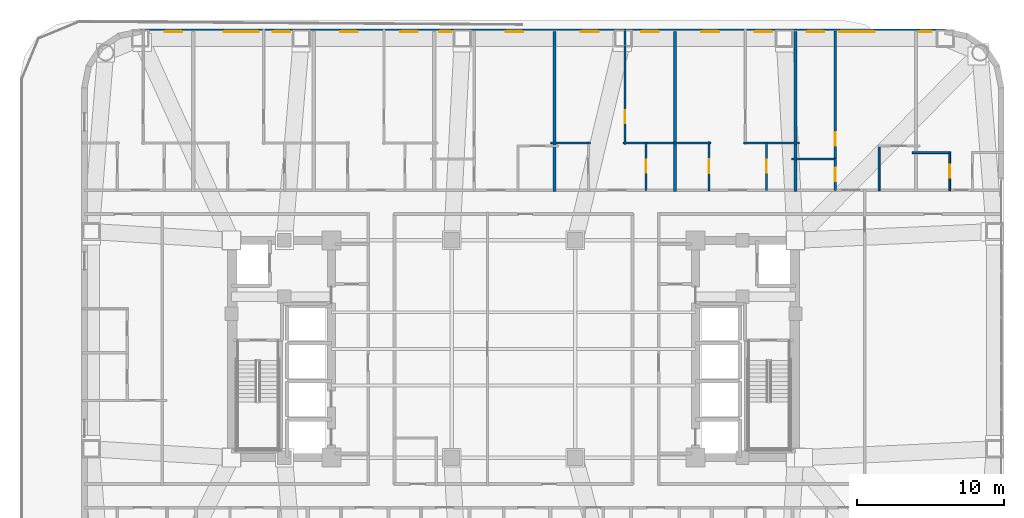
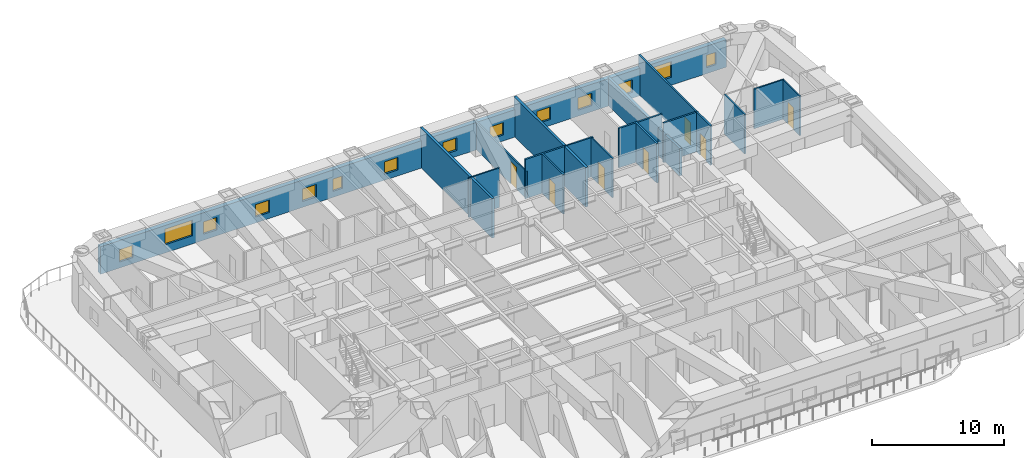
# One storey, part 12 of 18: 18 walls, 14 windows, 7 doors, 21 openings.
"""IFC4 building model written with IfcOpenShell, lengths in metres."""

from ifc_helpers import new_model, si_unit, direction, frame, frame_2d, origin, place, context, subcontext, project, spatial, rectangle, extrude, material, layer, layer_set, type_object, element, fill, save


model = new_model("IFC4")

# Units and contexts
model_context = context("Model", 3, precision=1e-05, world=origin(), true_north=direction((0.0, 1.0)))
body_context = subcontext(model_context, "Body", "Model", "MODEL_VIEW")
ifc_project = project(units=[si_unit("LENGTHUNIT", "METRE"), si_unit("AREAUNIT", "SQUARE_METRE"), si_unit("VOLUMEUNIT", "CUBIC_METRE"), si_unit("PLANEANGLEUNIT", "RADIAN"), si_unit("MASSUNIT", "GRAM", prefix="KILO")], contexts=[model_context])

# Site, building, storey
site_placement = place(None, origin())
site = spatial("IfcSite", under=ifc_project, at=site_placement, CompositionType="ELEMENT")
building_placement = place(site_placement, origin())
building = spatial("IfcBuilding", under=site, at=building_placement, Name="Voryun Gate Residences", CompositionType="ELEMENT")
storey_placement = place(building_placement, frame((0.0, 0.0, 85.800048828125)))
storey = spatial("IfcBuildingStorey", under=building, at=storey_placement, Name="L20", CompositionType="ELEMENT", Elevation=85.800048828125)

# Wall, openings, windows
ifc_material_1 = material(Name="Granite masonry", Category="masonry")
ifc_layer_1 = layer(ifc_material_1, 0.3798828125, Name="W_EXT_GRANITE_380")
ifc_layer_set_1 = layer_set([ifc_layer_1], Name="Granite masonry")
wall_type_1 = type_object("IfcWallType", Name="W_EXT_GRANITE_380", PredefinedType="ELEMENTEDWALL", material=ifc_layer_set_1)
wall_1_placement = place(storey_placement, frame((-25.38134765625, 21.610107421875, 0.0), z_axis=(0.0, 0.0, 1.0), x_axis=(1.0, 0.0, 0.0)))
wall_1 = element("IfcWall", 1, at=wall_1_placement, inside=storey, type_object=wall_type_1, Name="Exterior wall WEXT-L20-11", PredefinedType="ELEMENTEDWALL", context=body_context, shape_type="SweptSolid", body=[
    extrude(rectangle(XDim=54.7626953125, YDim=0.3798828125, at=frame_2d((27.38134765625, 0.0))), origin(), (0.0, 0.0, 1.0), 2.5400390625),
])
opening_1_placement = place(wall_1_placement, frame((5.645263671875, 0.0, 0.75)))
opening_1 = element("IfcOpeningElement", 2, at=opening_1_placement, cuts=wall_1, Name="Opening WN2", PredefinedType="OPENING", context=body_context, shape_type="SweptSolid", body=[
    extrude(rectangle(XDim=2.39990234375, YDim=1.449951171875, at=frame_2d((1.199951171875, 0.72509765625))), frame((0.0, 0.199951171875, 0.0), z_axis=(0.0, -1.0, 0.0), x_axis=(1.0, 0.0, 0.0)), (0.0, 0.0, 1.0), 0.39990234375),
])
opening_2_placement = place(wall_1_placement, frame((47.5673828125, 0.0, 0.75)))
opening_2 = element("IfcOpeningElement", 3, at=opening_2_placement, cuts=wall_1, Name="Opening WN2", PredefinedType="OPENING", context=body_context, shape_type="SweptSolid", body=[
    extrude(rectangle(XDim=2.39990234375, YDim=1.449951171875, at=frame_2d((1.199951171875, 0.72509765625))), frame((0.0, 0.199951171875, 0.0), z_axis=(0.0, -1.0, 0.0), x_axis=(1.0, 0.0, 0.0)), (0.0, 0.0, 1.0), 0.39990234375),
])
opening_3_placement = place(wall_1_placement, frame((1.635498046875, 0.0, 0.550048828125)))
opening_3 = element("IfcOpeningElement", 4, at=opening_3_placement, cuts=wall_1, Name="Opening WN6", PredefinedType="OPENING", context=body_context, shape_type="SweptSolid", body=[
    extrude(rectangle(XDim=1.199951171875, YDim=1.14990234375, at=frame_2d((0.60009765625, 0.574951171875))), frame((0.0, 0.199951171875, 0.0), z_axis=(0.0, -1.0, 0.0), x_axis=(1.0, 0.0, 0.0)), (0.0, 0.0, 1.0), 0.39990234375),
])
opening_4_placement = place(wall_1_placement, frame((8.996337890625, 0.0, 0.550048828125)))
opening_4 = element("IfcOpeningElement", 5, at=opening_4_placement, cuts=wall_1, Name="Opening WN6", PredefinedType="OPENING", context=body_context, shape_type="SweptSolid", body=[
    extrude(rectangle(XDim=1.199951171875, YDim=1.14990234375, at=frame_2d((0.60009765625, 0.574951171875))), frame((0.0, 0.199951171875, 0.0), z_axis=(0.0, -1.0, 0.0), x_axis=(1.0, 0.0, 0.0)), (0.0, 0.0, 1.0), 0.39990234375),
])
opening_5_placement = place(wall_1_placement, frame((13.576416015625, 0.0, 0.550048828125)))
opening_5 = element("IfcOpeningElement", 6, at=opening_5_placement, cuts=wall_1, Name="Opening WN6", PredefinedType="OPENING", context=body_context, shape_type="SweptSolid", body=[
    extrude(rectangle(XDim=1.199951171875, YDim=1.14990234375, at=frame_2d((0.60009765625, 0.574951171875))), frame((0.0, 0.199951171875, 0.0), z_axis=(0.0, -1.0, 0.0), x_axis=(1.0, 0.0, 0.0)), (0.0, 0.0, 1.0), 0.39990234375),
])
opening_6_placement = place(wall_1_placement, frame((17.67626953125, 0.0, 0.550048828125)))
opening_6 = element("IfcOpeningElement", 7, at=opening_6_placement, cuts=wall_1, Name="Opening WN6", PredefinedType="OPENING", context=body_context, shape_type="SweptSolid", body=[
    extrude(rectangle(XDim=1.199951171875, YDim=1.14990234375, at=frame_2d((0.60009765625, 0.574951171875))), frame((0.0, 0.199951171875, 0.0), z_axis=(0.0, -1.0, 0.0), x_axis=(1.0, 0.0, 0.0)), (0.0, 0.0, 1.0), 0.39990234375),
])
opening_7_placement = place(wall_1_placement, frame((20.3193359375, 0.0, 0.550048828125)))
opening_7 = element("IfcOpeningElement", 8, at=opening_7_placement, cuts=wall_1, Name="Opening WN9", PredefinedType="OPENING", context=body_context, shape_type="SweptSolid", body=[
    extrude(rectangle(XDim=0.85009765625, YDim=1.14990234375, at=frame_2d((0.425048828125, 0.574951171875))), frame((0.0, 0.199951171875, 0.0), z_axis=(0.0, -1.0, 0.0), x_axis=(1.0, 0.0, 0.0)), (0.0, 0.0, 1.0), 0.39990234375),
])
opening_8_placement = place(wall_1_placement, frame((24.84423828125, 0.0, 0.550048828125)))
opening_8 = element("IfcOpeningElement", 9, at=opening_8_placement, cuts=wall_1, Name="Opening WN6", PredefinedType="OPENING", context=body_context, shape_type="SweptSolid", body=[
    extrude(rectangle(XDim=1.199951171875, YDim=1.14990234375, at=frame_2d((0.60009765625, 0.574951171875))), frame((0.0, 0.199951171875, 0.0), z_axis=(0.0, -1.0, 0.0), x_axis=(1.0, 0.0, 0.0)), (0.0, 0.0, 1.0), 0.39990234375),
])
opening_9_placement = place(wall_1_placement, frame((29.976318359375, 0.0, 0.550048828125)))
opening_9 = element("IfcOpeningElement", 10, at=opening_9_placement, cuts=wall_1, Name="Opening WN6", PredefinedType="OPENING", context=body_context, shape_type="SweptSolid", body=[
    extrude(rectangle(XDim=1.199951171875, YDim=1.14990234375, at=frame_2d((0.60009765625, 0.574951171875))), frame((0.0, 0.199951171875, 0.0), z_axis=(0.0, -1.0, 0.0), x_axis=(1.0, 0.0, 0.0)), (0.0, 0.0, 1.0), 0.39990234375),
])
opening_10_placement = place(wall_1_placement, frame((34.076416015625, 0.0, 0.550048828125)))
opening_10 = element("IfcOpeningElement", 11, at=opening_10_placement, cuts=wall_1, Name="Opening WN6", PredefinedType="OPENING", context=body_context, shape_type="SweptSolid", body=[
    extrude(rectangle(XDim=1.199951171875, YDim=1.14990234375, at=frame_2d((0.60009765625, 0.574951171875))), frame((0.0, 0.199951171875, 0.0), z_axis=(0.0, -1.0, 0.0), x_axis=(1.0, 0.0, 0.0)), (0.0, 0.0, 1.0), 0.39990234375),
])
opening_11_placement = place(wall_1_placement, frame((38.17626953125, 0.0, 0.550048828125)))
opening_11 = element("IfcOpeningElement", 12, at=opening_11_placement, cuts=wall_1, Name="Opening WN6", PredefinedType="OPENING", context=body_context, shape_type="SweptSolid", body=[
    extrude(rectangle(XDim=1.199951171875, YDim=1.14990234375, at=frame_2d((0.60009765625, 0.574951171875))), frame((0.0, 0.199951171875, 0.0), z_axis=(0.0, -1.0, 0.0), x_axis=(1.0, 0.0, 0.0)), (0.0, 0.0, 1.0), 0.39990234375),
])
opening_12_placement = place(wall_1_placement, frame((41.79638671875, 0.0, 0.550048828125)))
opening_12 = element("IfcOpeningElement", 13, at=opening_12_placement, cuts=wall_1, Name="Opening WN6", PredefinedType="OPENING", context=body_context, shape_type="SweptSolid", body=[
    extrude(rectangle(XDim=1.199951171875, YDim=1.14990234375, at=frame_2d((0.60009765625, 0.574951171875))), frame((0.0, 0.199951171875, 0.0), z_axis=(0.0, -1.0, 0.0), x_axis=(1.0, 0.0, 0.0)), (0.0, 0.0, 1.0), 0.39990234375),
])
opening_13_placement = place(wall_1_placement, frame((45.336181640625, 0.0, 0.550048828125)))
opening_13 = element("IfcOpeningElement", 14, at=opening_13_placement, cuts=wall_1, Name="Opening WN6", PredefinedType="OPENING", context=body_context, shape_type="SweptSolid", body=[
    extrude(rectangle(XDim=1.199951171875, YDim=1.14990234375, at=frame_2d((0.60009765625, 0.574951171875))), frame((0.0, 0.199951171875, 0.0), z_axis=(0.0, -1.0, 0.0), x_axis=(1.0, 0.0, 0.0)), (0.0, 0.0, 1.0), 0.39990234375),
])
opening_14_placement = place(wall_1_placement, frame((53.02197265625, 0.0, 0.550048828125)))
opening_14 = element("IfcOpeningElement", 15, at=opening_14_placement, cuts=wall_1, Name="Opening WN9", PredefinedType="OPENING", context=body_context, shape_type="SweptSolid", body=[
    extrude(rectangle(XDim=0.85009765625, YDim=1.14990234375, at=frame_2d((0.425048828125, 0.574951171875))), frame((0.0, 0.199951171875, 0.0), z_axis=(0.0, -1.0, 0.0), x_axis=(1.0, 0.0, 0.0)), (0.0, 0.0, 1.0), 0.39990234375),
])
ifc_material_2 = material(Name="Laminated low-E glass", Category="glass")
window_type_1 = type_object("IfcWindowType", Name="WN_POD_SLOT_1200", PartitioningType="SINGLE_PANEL", PredefinedType="WINDOW", material=ifc_material_2)
window_1_placement = place(opening_3_placement, origin())
window_1 = element("IfcWindow", 16, at=window_1_placement, inside=storey, type_object=window_type_1, Name="Window WN-L20-DWFIX-02", OverallHeight=1.14990234375, OverallWidth=1.199951171875, PartitioningType="SINGLE_PANEL", PredefinedType="WINDOW", context=body_context, shape_type="SweptSolid", body=[
    extrude(rectangle(XDim=1.199951171875, YDim=1.14990234375, at=frame_2d((0.60009765625, 0.574951171875))), frame((0.0, 0.030029296875, 0.0), z_axis=(0.0, -1.0, 0.0), x_axis=(1.0, 0.0, 0.0)), (0.0, 0.0, 1.0), 0.06005859375),
])
fill(opening_3, window_1)
window_2_placement = place(opening_4_placement, origin())
window_2 = element("IfcWindow", 17, at=window_2_placement, inside=storey, type_object=window_type_1, Name="Window WN-L20-DWFIX-03", OverallHeight=1.14990234375, OverallWidth=1.199951171875, PartitioningType="SINGLE_PANEL", PredefinedType="WINDOW", context=body_context, shape_type="SweptSolid", body=[
    extrude(rectangle(XDim=1.199951171875, YDim=1.14990234375, at=frame_2d((0.60009765625, 0.574951171875))), frame((0.0, 0.030029296875, 0.0), z_axis=(0.0, -1.0, 0.0), x_axis=(1.0, 0.0, 0.0)), (0.0, 0.0, 1.0), 0.06005859375),
])
fill(opening_4, window_2)
window_3_placement = place(opening_5_placement, origin())
window_3 = element("IfcWindow", 18, at=window_3_placement, inside=storey, type_object=window_type_1, Name="Window WN-L20-DWFIX-04", OverallHeight=1.14990234375, OverallWidth=1.199951171875, PartitioningType="SINGLE_PANEL", PredefinedType="WINDOW", context=body_context, shape_type="SweptSolid", body=[
    extrude(rectangle(XDim=1.199951171875, YDim=1.14990234375, at=frame_2d((0.60009765625, 0.574951171875))), frame((0.0, 0.030029296875, 0.0), z_axis=(0.0, -1.0, 0.0), x_axis=(1.0, 0.0, 0.0)), (0.0, 0.0, 1.0), 0.06005859375),
])
fill(opening_5, window_3)
window_4_placement = place(opening_6_placement, origin())
window_4 = element("IfcWindow", 19, at=window_4_placement, inside=storey, type_object=window_type_1, Name="Window WN-L20-DWFIX-05", OverallHeight=1.14990234375, OverallWidth=1.199951171875, PartitioningType="SINGLE_PANEL", PredefinedType="WINDOW", context=body_context, shape_type="SweptSolid", body=[
    extrude(rectangle(XDim=1.199951171875, YDim=1.14990234375, at=frame_2d((0.60009765625, 0.574951171875))), frame((0.0, 0.030029296875, 0.0), z_axis=(0.0, -1.0, 0.0), x_axis=(1.0, 0.0, 0.0)), (0.0, 0.0, 1.0), 0.06005859375),
])
fill(opening_6, window_4)
window_5_placement = place(opening_8_placement, origin())
window_5 = element("IfcWindow", 20, at=window_5_placement, inside=storey, type_object=window_type_1, Name="Window WN-L20-DWFIX-07", OverallHeight=1.14990234375, OverallWidth=1.199951171875, PartitioningType="SINGLE_PANEL", PredefinedType="WINDOW", context=body_context, shape_type="SweptSolid", body=[
    extrude(rectangle(XDim=1.199951171875, YDim=1.14990234375, at=frame_2d((0.60009765625, 0.574951171875))), frame((0.0, 0.030029296875, 0.0), z_axis=(0.0, -1.0, 0.0), x_axis=(1.0, 0.0, 0.0)), (0.0, 0.0, 1.0), 0.06005859375),
])
fill(opening_8, window_5)
window_6_placement = place(opening_9_placement, origin())
window_6 = element("IfcWindow", 21, at=window_6_placement, inside=storey, type_object=window_type_1, Name="Window WN-L20-DWFIX-08", OverallHeight=1.14990234375, OverallWidth=1.199951171875, PartitioningType="SINGLE_PANEL", PredefinedType="WINDOW", context=body_context, shape_type="SweptSolid", body=[
    extrude(rectangle(XDim=1.199951171875, YDim=1.14990234375, at=frame_2d((0.60009765625, 0.574951171875))), frame((0.0, 0.030029296875, 0.0), z_axis=(0.0, -1.0, 0.0), x_axis=(1.0, 0.0, 0.0)), (0.0, 0.0, 1.0), 0.06005859375),
])
fill(opening_9, window_6)
window_7_placement = place(opening_10_placement, origin())
window_7 = element("IfcWindow", 22, at=window_7_placement, inside=storey, type_object=window_type_1, Name="Window WN-L20-DWFIX-09", OverallHeight=1.14990234375, OverallWidth=1.199951171875, PartitioningType="SINGLE_PANEL", PredefinedType="WINDOW", context=body_context, shape_type="SweptSolid", body=[
    extrude(rectangle(XDim=1.199951171875, YDim=1.14990234375, at=frame_2d((0.60009765625, 0.574951171875))), frame((0.0, 0.030029296875, 0.0), z_axis=(0.0, -1.0, 0.0), x_axis=(1.0, 0.0, 0.0)), (0.0, 0.0, 1.0), 0.06005859375),
])
fill(opening_10, window_7)
window_8_placement = place(opening_11_placement, origin())
window_8 = element("IfcWindow", 23, at=window_8_placement, inside=storey, type_object=window_type_1, Name="Window WN-L20-DWFIX-10", OverallHeight=1.14990234375, OverallWidth=1.199951171875, PartitioningType="SINGLE_PANEL", PredefinedType="WINDOW", context=body_context, shape_type="SweptSolid", body=[
    extrude(rectangle(XDim=1.199951171875, YDim=1.14990234375, at=frame_2d((0.60009765625, 0.574951171875))), frame((0.0, 0.030029296875, 0.0), z_axis=(0.0, -1.0, 0.0), x_axis=(1.0, 0.0, 0.0)), (0.0, 0.0, 1.0), 0.06005859375),
])
fill(opening_11, window_8)
window_9_placement = place(opening_12_placement, origin())
window_9 = element("IfcWindow", 24, at=window_9_placement, inside=storey, type_object=window_type_1, Name="Window WN-L20-DWFIX-11", OverallHeight=1.14990234375, OverallWidth=1.199951171875, PartitioningType="SINGLE_PANEL", PredefinedType="WINDOW", context=body_context, shape_type="SweptSolid", body=[
    extrude(rectangle(XDim=1.199951171875, YDim=1.14990234375, at=frame_2d((0.60009765625, 0.574951171875))), frame((0.0, 0.030029296875, 0.0), z_axis=(0.0, -1.0, 0.0), x_axis=(1.0, 0.0, 0.0)), (0.0, 0.0, 1.0), 0.06005859375),
])
fill(opening_12, window_9)
window_10_placement = place(opening_13_placement, origin())
window_10 = element("IfcWindow", 25, at=window_10_placement, inside=storey, type_object=window_type_1, Name="Window WN-L20-DWFIX-12", OverallHeight=1.14990234375, OverallWidth=1.199951171875, PartitioningType="SINGLE_PANEL", PredefinedType="WINDOW", context=body_context, shape_type="SweptSolid", body=[
    extrude(rectangle(XDim=1.199951171875, YDim=1.14990234375, at=frame_2d((0.60009765625, 0.574951171875))), frame((0.0, 0.030029296875, 0.0), z_axis=(0.0, -1.0, 0.0), x_axis=(1.0, 0.0, 0.0)), (0.0, 0.0, 1.0), 0.06005859375),
])
fill(opening_13, window_10)
ifc_material_3 = material(Name="Laminated low-E glass", Category="glass")
window_type_2 = type_object("IfcWindowType", Name="WN_RES_CASEMENT_850", PartitioningType="SINGLE_PANEL", PredefinedType="WINDOW", material=ifc_material_3)
window_11_placement = place(opening_7_placement, origin())
window_11 = element("IfcWindow", 26, at=window_11_placement, inside=storey, type_object=window_type_2, Name="Window WN-L20-DWFIX-06", OverallHeight=1.14990234375, OverallWidth=0.85009765625, PartitioningType="SINGLE_PANEL", PredefinedType="WINDOW", context=body_context, shape_type="SweptSolid", body=[
    extrude(rectangle(XDim=0.85009765625, YDim=1.14990234375, at=frame_2d((0.425048828125, 0.574951171875))), frame((0.0, 0.030029296875, 0.0), z_axis=(0.0, -1.0, 0.0), x_axis=(1.0, 0.0, 0.0)), (0.0, 0.0, 1.0), 0.06005859375),
])
fill(opening_7, window_11)
window_12_placement = place(opening_14_placement, origin())
window_12 = element("IfcWindow", 27, at=window_12_placement, inside=storey, type_object=window_type_2, Name="Window WN-L20-DWFIX-13", OverallHeight=1.14990234375, OverallWidth=0.85009765625, PartitioningType="SINGLE_PANEL", PredefinedType="WINDOW", context=body_context, shape_type="SweptSolid", body=[
    extrude(rectangle(XDim=0.85009765625, YDim=1.14990234375, at=frame_2d((0.425048828125, 0.574951171875))), frame((0.0, 0.030029296875, 0.0), z_axis=(0.0, -1.0, 0.0), x_axis=(1.0, 0.0, 0.0)), (0.0, 0.0, 1.0), 0.06005859375),
])
fill(opening_14, window_12)
ifc_material_4 = material(Name="Laminated low-E glass", Category="glass")
window_type_3 = type_object("IfcWindowType", Name="WN_RES_WIDE_2400", PartitioningType="SINGLE_PANEL", PredefinedType="WINDOW", material=ifc_material_4)
window_13_placement = place(opening_1_placement, origin())
window_13 = element("IfcWindow", 28, at=window_13_placement, inside=storey, type_object=window_type_3, Name="Window WN-WEXT-L20-11-01", OverallHeight=1.449951171875, OverallWidth=2.39990234375, PartitioningType="SINGLE_PANEL", PredefinedType="WINDOW", context=body_context, shape_type="SweptSolid", body=[
    extrude(rectangle(XDim=2.39990234375, YDim=1.449951171875, at=frame_2d((1.199951171875, 0.72509765625))), frame((0.0, 0.030029296875, 0.0), z_axis=(0.0, -1.0, 0.0), x_axis=(1.0, 0.0, 0.0)), (0.0, 0.0, 1.0), 0.06005859375),
])
fill(opening_1, window_13)
window_14_placement = place(opening_2_placement, origin())
window_14 = element("IfcWindow", 29, at=window_14_placement, inside=storey, type_object=window_type_3, Name="Window WN-WEXT-L20-11-04", OverallHeight=1.449951171875, OverallWidth=2.39990234375, PartitioningType="SINGLE_PANEL", PredefinedType="WINDOW", context=body_context, shape_type="SweptSolid", body=[
    extrude(rectangle(XDim=2.39990234375, YDim=1.449951171875, at=frame_2d((1.199951171875, 0.72509765625))), frame((0.0, 0.030029296875, 0.0), z_axis=(0.0, -1.0, 0.0), x_axis=(1.0, 0.0, 0.0)), (0.0, 0.0, 1.0), 0.06005859375),
])
fill(opening_2, window_14)

# Walls
ifc_material_5 = material(Name="Concrete C40/50", Category="concrete")
ifc_layer_2 = layer(ifc_material_5, 0.219970703125, Name="W_PARTY_ACOUSTIC_220")
ifc_layer_set_2 = layer_set([ifc_layer_2], Name="Concrete C40/50")
wall_type_2 = type_object("IfcWallType", Name="W_PARTY_ACOUSTIC_220", PredefinedType="PARTITIONING", material=ifc_layer_set_2)
for number, where, z_axis, x_axis, name in (
    (30, (2.800048828125, 10.719970703125, 0.0), (0.0, 0.0, 1.0), (0.0, 1.0, 0.0), "Partition wall WP-L20-NPTY-4"),
    (31, (11.0, 10.719970703125, 0.0), (0.0, 0.0, 1.0), (0.0, 1.0, 0.0), "Partition wall WP-L20-NPTY-5"),
):
    element("IfcWall", number, at=place(storey_placement, frame(where, z_axis=z_axis, x_axis=x_axis)), inside=storey, type_object=wall_type_2, Name=name, PredefinedType="PARTITIONING", context=body_context, shape_type="SweptSolid", body=[
        extrude(rectangle(XDim=10.89013671875, YDim=0.219970703125, at=frame_2d((5.445068359375, 0.0))), origin(), (0.0, 0.0, 1.0), 3.64990234375),
    ])
wall_2_placement = place(storey_placement, frame((19.199951171875, 10.719970703125, 0.0), z_axis=(0.0, 0.0, 1.0), x_axis=(0.0, 1.0, 0.0)))
element("IfcWall", 32, at=wall_2_placement, inside=storey, type_object=wall_type_2, Name="Partition wall WP-L20-NPTY-6", PredefinedType="PARTITIONING", context=body_context, shape_type="SweptSolid", body=[
    extrude(rectangle(XDim=10.89013671875, YDim=0.219970703125, at=frame_2d((5.445068359375, 0.0))), origin(), (0.0, 0.0, 1.0), 2.5400390625),
])

# Wall, opening, door
ifc_material_6 = material(Name="Gypsum acoustic partition")
ifc_layer_3 = layer(ifc_material_6, 0.125, Name="W_UNIT_PART_125")
ifc_layer_set_3 = layer_set([ifc_layer_3], Name="Gypsum acoustic partition")
wall_type_3 = type_object("IfcWallType", Name="W_UNIT_PART_125", PredefinedType="PARTITIONING", material=ifc_layer_set_3)
wall_3_placement = place(storey_placement, frame((7.590087890625, 13.93994140625, 0.0), z_axis=(0.0, 0.0, 1.0), x_axis=(0.0, 1.0, 0.0)))
wall_3 = element("IfcWall", 33, at=wall_3_placement, inside=storey, type_object=wall_type_3, Name="Partition wall WP-L20-N5-OVR", PredefinedType="PARTITIONING", context=body_context, shape_type="SweptSolid", body=[
    extrude(rectangle(XDim=7.820068359375, YDim=0.125, at=frame_2d((3.91015625, 0.0))), origin(), (0.0, 0.0, 1.0), 2.5400390625),
])
opening_15_placement = place(wall_3_placement, frame((1.4267578125, 0.0, 0.0)))
opening_15 = element("IfcOpeningElement", 34, at=opening_15_placement, cuts=wall_3, Name="Opening D-INT-2", PredefinedType="OPENING", context=body_context, shape_type="SweptSolid", body=[
    extrude(rectangle(XDim=0.89990234375, YDim=2.050048828125, at=frame_2d((0.449951171875, 1.02490234375))), frame((0.0, 0.072509765625, 0.0), z_axis=(0.0, -1.0, 0.0), x_axis=(1.0, 0.0, 0.0)), (0.0, 0.0, 1.0), 0.14501953125),
])
ifc_material_7 = material(Name="Architectural oak veneer")
door_type_1 = type_object("IfcDoorType", Name="DR_INT_BATH_900", OperationType="NOTDEFINED", PredefinedType="DOOR", material=ifc_material_7)
door_1_placement = place(opening_15_placement, origin())
door_1 = element("IfcDoor", 35, at=door_1_placement, inside=storey, type_object=door_type_1, Name="Door DR-L20-N5-DMB", OperationType="SINGLE_SWING_RIGHT", OverallHeight=2.050048828125, OverallWidth=0.89990234375, PredefinedType="DOOR", context=body_context, shape_type="SweptSolid", body=[
    extrude(rectangle(XDim=0.89990234375, YDim=2.050048828125, at=frame_2d((0.449951171875, 1.02490234375))), frame((0.0, 0.02490234375, 0.0), z_axis=(0.0, -1.0, 0.0), x_axis=(1.0, 0.0, 0.0)), (0.0, 0.0, 1.0), 0.050048828125),
])
fill(opening_15, door_1)

# Wall
wall_4_placement = place(storey_placement, frame((2.5400390625, 14.02001953125, 0.0), z_axis=(0.0, 0.0, 1.0), x_axis=(1.0, 0.0, 0.0)))
element("IfcWall", 36, at=wall_4_placement, inside=storey, type_object=wall_type_3, Name="Partition wall WP-L20-N5-HZK", PredefinedType="PARTITIONING", context=body_context, shape_type="SweptSolid", body=[
    extrude(rectangle(XDim=2.68994140625, YDim=0.125, at=frame_2d((1.344970703125, 0.0))), origin(), (0.0, 0.0, 1.0), 3.64990234375),
])

# Wall, opening, door
wall_5_placement = place(storey_placement, frame((13.31005859375, 10.780029296875, 0.0), z_axis=(0.0, 0.0, 1.0), x_axis=(0.0, 1.0, 0.0)))
wall_5 = element("IfcWall", 37, at=wall_5_placement, inside=storey, type_object=wall_type_3, Name="Partition wall WP-L20-N6-IVK", PredefinedType="PARTITIONING", context=body_context, shape_type="SweptSolid", body=[
    extrude(rectangle(XDim=3.320068359375, YDim=0.125, at=frame_2d((1.66015625, 0.0))), origin(), (0.0, 0.0, 1.0), 3.64990234375),
])
opening_16_placement = place(wall_5_placement, frame((1.18505859375, 0.0, 0.0)))
opening_16 = element("IfcOpeningElement", 38, at=opening_16_placement, cuts=wall_5, Name="Opening D-INT-1", PredefinedType="OPENING", context=body_context, shape_type="SweptSolid", body=[
    extrude(rectangle(XDim=0.949951171875, YDim=2.050048828125, at=frame_2d((0.47509765625, 1.02490234375))), frame((0.0, 0.072509765625, 0.0), z_axis=(0.0, -1.0, 0.0), x_axis=(1.0, 0.0, 0.0)), (0.0, 0.0, 1.0), 0.14501953125),
])
ifc_material_8 = material(Name="Architectural oak veneer")
door_type_2 = type_object("IfcDoorType", Name="DR_INT_ROOM_950", OperationType="NOTDEFINED", PredefinedType="DOOR", material=ifc_material_8)
door_2_placement = place(opening_16_placement, origin())
door_2 = element("IfcDoor", 39, at=door_2_placement, inside=storey, type_object=door_type_2, Name="Door DR-L20-N6-DK", OperationType="SINGLE_SWING_LEFT", OverallHeight=2.050048828125, OverallWidth=0.949951171875, PredefinedType="DOOR", context=body_context, shape_type="SweptSolid", body=[
    extrude(rectangle(XDim=0.949951171875, YDim=2.050048828125, at=frame_2d((0.47509765625, 1.02490234375))), frame((0.0, 0.02490234375, 0.0), z_axis=(0.0, -1.0, 0.0), x_axis=(1.0, 0.0, 0.0)), (0.0, 0.0, 1.0), 0.050048828125),
])
fill(opening_16, door_2)

# Walls
wall_6_placement = place(storey_placement, frame((10.925048828125, 14.02001953125, 0.0), z_axis=(0.0, 0.0, 1.0), x_axis=(1.0, 0.0, 0.0)))
element("IfcWall", 40, at=wall_6_placement, inside=storey, type_object=wall_type_3, Name="Partition wall WP-L20-N6-HZK", PredefinedType="PARTITIONING", context=body_context, shape_type="SweptSolid", body=[
    extrude(rectangle(XDim=2.5048828125, YDim=0.125, at=frame_2d((1.25244140625, 0.0))), origin(), (0.0, 0.0, 1.0), 3.64990234375),
])
wall_7_placement = place(storey_placement, frame((24.89599609375, 10.780029296875, 0.0), z_axis=(0.0, 0.0, 1.0), x_axis=(0.0, 1.0, 0.0)))
element("IfcWall", 41, at=wall_7_placement, inside=storey, type_object=wall_type_3, Name="Partition wall WP-L20-N7-KVX", PredefinedType="PARTITIONING", context=body_context, shape_type="SweptSolid", body=[
    extrude(rectangle(XDim=3.099853515625, YDim=0.125, at=frame_2d((1.5498046875, 0.0))), origin(), (0.0, 0.0, 1.0), 3.64990234375),
])

# Wall, opening, door
wall_8_placement = place(storey_placement, frame((29.7099609375, 10.780029296875, 0.0), z_axis=(0.0, 0.0, 1.0), x_axis=(0.0, 1.0, 0.0)))
wall_8 = element("IfcWall", 42, at=wall_8_placement, inside=storey, type_object=wall_type_3, Name="Partition wall WP-L20-N8-CVK", PredefinedType="PARTITIONING", context=body_context, shape_type="SweptSolid", body=[
    extrude(rectangle(XDim=2.64990234375, YDim=0.125, at=frame_2d((1.324951171875, 0.0))), origin(), (0.0, 0.0, 1.0), 3.64990234375),
])
opening_17_placement = place(wall_8_placement, frame((0.875, 0.0, 0.0)))
opening_17 = element("IfcOpeningElement", 43, at=opening_17_placement, cuts=wall_8, Name="Opening D-INT-2", PredefinedType="OPENING", context=body_context, shape_type="SweptSolid", body=[
    extrude(rectangle(XDim=0.89990234375, YDim=2.050048828125, at=frame_2d((0.449951171875, 1.02490234375))), frame((0.0, 0.072509765625, 0.0), z_axis=(0.0, -1.0, 0.0), x_axis=(1.0, 0.0, 0.0)), (0.0, 0.0, 1.0), 0.14501953125),
])
door_3_placement = place(opening_17_placement, origin())
door_3 = element("IfcDoor", 44, at=door_3_placement, inside=storey, type_object=door_type_1, Name="Door DR-L20-N8-DK", OperationType="SINGLE_SWING_LEFT", OverallHeight=2.050048828125, OverallWidth=0.89990234375, PredefinedType="DOOR", context=body_context, shape_type="SweptSolid", body=[
    extrude(rectangle(XDim=0.89990234375, YDim=2.050048828125, at=frame_2d((0.449951171875, 1.02490234375))), frame((0.0, 0.02490234375, 0.0), z_axis=(0.0, -1.0, 0.0), x_axis=(1.0, 0.0, 0.0)), (0.0, 0.0, 1.0), 0.050048828125),
])
fill(opening_17, door_3)

# Walls
wall_9_placement = place(storey_placement, frame((27.139892578125, 13.3701171875, 0.0), z_axis=(0.0, 0.0, 1.0), x_axis=(1.0, 0.0, 0.0)))
element("IfcWall", 45, at=wall_9_placement, inside=storey, type_object=wall_type_3, Name="Partition wall WP-L20-N8-CHK", PredefinedType="PARTITIONING", context=body_context, shape_type="SweptSolid", body=[
    extrude(rectangle(XDim=2.630126953125, YDim=0.125, at=frame_2d((1.31494140625, 0.0))), origin(), (0.0, 0.0, 1.0), 3.64990234375),
])
ifc_material_9 = material(Name="Gypsum moisture-resistant partition")
ifc_layer_4 = layer(ifc_material_9, 0.14990234375, Name="W_WET_PLUMB_150")
ifc_layer_set_4 = layer_set([ifc_layer_4], Name="Gypsum moisture-resistant partition")
wall_type_4 = type_object("IfcWallType", Name="W_WET_PLUMB_150", PredefinedType="PLUMBINGWALL", material=ifc_layer_set_4)
wall_10_placement = place(storey_placement, frame((7.469970703125, 14.02001953125, 0.0), z_axis=(0.0, 0.0, 1.0), x_axis=(1.0, 0.0, 0.0)))
element("IfcWall", 46, at=wall_10_placement, inside=storey, type_object=wall_type_4, Name="Partition wall WP-L20-N5-HZB", PredefinedType="PLUMBINGWALL", context=body_context, shape_type="SweptSolid", body=[
    extrude(rectangle(XDim=3.60498046875, YDim=0.14990234375, at=frame_2d((1.802490234375, 0.0))), origin(), (0.0, 0.0, 1.0), 3.64990234375),
])

# Wall, opening, door
wall_11_placement = place(storey_placement, frame((9.02001953125, 10.780029296875, 0.0), z_axis=(0.0, 0.0, 1.0), x_axis=(0.0, 1.0, 0.0)))
wall_11 = element("IfcWall", 47, at=wall_11_placement, inside=storey, type_object=wall_type_4, Name="Partition wall WP-L20-N5-IVB", PredefinedType="PLUMBINGWALL", context=body_context, shape_type="SweptSolid", body=[
    extrude(rectangle(XDim=3.320068359375, YDim=0.14990234375, at=frame_2d((1.66015625, 0.0))), origin(), (0.0, 0.0, 1.0), 3.64990234375),
])
opening_18_placement = place(wall_11_placement, frame((1.2099609375, 0.0, 0.0)))
opening_18 = element("IfcOpeningElement", 48, at=opening_18_placement, cuts=wall_11, Name="Opening D-INT-2", PredefinedType="OPENING", context=body_context, shape_type="SweptSolid", body=[
    extrude(rectangle(XDim=0.89990234375, YDim=2.050048828125, at=frame_2d((0.449951171875, 1.02490234375))), frame((0.0, 0.0849609375, 0.0), z_axis=(0.0, -1.0, 0.0), x_axis=(1.0, 0.0, 0.0)), (0.0, 0.0, 1.0), 0.169921875),
])
door_4_placement = place(opening_18_placement, origin())
door_4 = element("IfcDoor", 49, at=door_4_placement, inside=storey, type_object=door_type_1, Name="Door DR-L20-N5-DB", OperationType="SINGLE_SWING_RIGHT", OverallHeight=2.050048828125, OverallWidth=0.89990234375, PredefinedType="DOOR", context=body_context, shape_type="SweptSolid", body=[
    extrude(rectangle(XDim=0.89990234375, YDim=2.050048828125, at=frame_2d((0.449951171875, 1.02490234375))), frame((0.0, 0.02490234375, 0.0), z_axis=(0.0, -1.0, 0.0), x_axis=(1.0, 0.0, 0.0)), (0.0, 0.0, 1.0), 0.050048828125),
])
fill(opening_18, door_4)

# Wall
wall_12_placement = place(storey_placement, frame((15.669921875, 14.02001953125, 0.0), z_axis=(0.0, 0.0, 1.0), x_axis=(1.0, 0.0, 0.0)))
element("IfcWall", 50, at=wall_12_placement, inside=storey, type_object=wall_type_4, Name="Partition wall WP-L20-N6-HZB", PredefinedType="PLUMBINGWALL", context=body_context, shape_type="SweptSolid", body=[
    extrude(rectangle(XDim=3.7900390625, YDim=0.14990234375, at=frame_2d((1.89501953125, 0.0))), origin(), (0.0, 0.0, 1.0), 3.64990234375),
])

# Wall, opening, door
wall_13_placement = place(storey_placement, frame((17.219970703125, 10.780029296875, 0.0), z_axis=(0.0, 0.0, 1.0), x_axis=(0.0, 1.0, 0.0)))
wall_13 = element("IfcWall", 51, at=wall_13_placement, inside=storey, type_object=wall_type_4, Name="Partition wall WP-L20-N6-IVB", PredefinedType="PLUMBINGWALL", context=body_context, shape_type="SweptSolid", body=[
    extrude(rectangle(XDim=3.320068359375, YDim=0.14990234375, at=frame_2d((1.66015625, 0.0))), origin(), (0.0, 0.0, 1.0), 3.64990234375),
])
opening_19_placement = place(wall_13_placement, frame((1.2099609375, 0.0, 0.0)))
opening_19 = element("IfcOpeningElement", 52, at=opening_19_placement, cuts=wall_13, Name="Opening D-INT-2", PredefinedType="OPENING", context=body_context, shape_type="SweptSolid", body=[
    extrude(rectangle(XDim=0.89990234375, YDim=2.050048828125, at=frame_2d((0.449951171875, 1.02490234375))), frame((0.0, 0.0849609375, 0.0), z_axis=(0.0, -1.0, 0.0), x_axis=(1.0, 0.0, 0.0)), (0.0, 0.0, 1.0), 0.169921875),
])
door_5_placement = place(opening_19_placement, origin())
door_5 = element("IfcDoor", 53, at=door_5_placement, inside=storey, type_object=door_type_1, Name="Door DR-L20-N6-DB", OperationType="SINGLE_SWING_RIGHT", OverallHeight=2.050048828125, OverallWidth=0.89990234375, PredefinedType="DOOR", context=body_context, shape_type="SweptSolid", body=[
    extrude(rectangle(XDim=0.89990234375, YDim=2.050048828125, at=frame_2d((0.449951171875, 1.02490234375))), frame((0.0, 0.02490234375, 0.0), z_axis=(0.0, -1.0, 0.0), x_axis=(1.0, 0.0, 0.0)), (0.0, 0.0, 1.0), 0.050048828125),
])
fill(opening_19, door_5)

# Wall
wall_14_placement = place(storey_placement, frame((18.93994140625, 12.93994140625, 0.0), z_axis=(0.0, 0.0, 1.0), x_axis=(1.0, 0.0, 0.0)))
element("IfcWall", 54, at=wall_14_placement, inside=storey, type_object=wall_type_4, Name="Partition wall WP-L20-N7-LHY", PredefinedType="PLUMBINGWALL", context=body_context, shape_type="SweptSolid", body=[
    extrude(rectangle(XDim=3.050048828125, YDim=0.14990234375, at=frame_2d((1.52490234375, 0.0))), origin(), (0.0, 0.0, 1.0), 3.64990234375),
])

# Wall, opening, door
wall_15_placement = place(storey_placement, frame((21.909912109375, 10.780029296875, 0.0), z_axis=(0.0, 0.0, 1.0), x_axis=(0.0, 1.0, 0.0)))
wall_15 = element("IfcWall", 55, at=wall_15_placement, inside=storey, type_object=wall_type_4, Name="Partition wall WP-L20-N7-LVX1", PredefinedType="PLUMBINGWALL", context=body_context, shape_type="SweptSolid", body=[
    extrude(rectangle(XDim=2.199951171875, YDim=0.14990234375, at=frame_2d((1.10009765625, 0.0))), origin(), (0.0, 0.0, 1.0), 3.64990234375),
])
opening_20_placement = place(wall_15_placement, frame((0.64990234375, 0.0, 0.0)))
opening_20 = element("IfcOpeningElement", 56, at=opening_20_placement, cuts=wall_15, Name="Opening D-INT-2", PredefinedType="OPENING", context=body_context, shape_type="SweptSolid", body=[
    extrude(rectangle(XDim=0.89990234375, YDim=2.050048828125, at=frame_2d((0.449951171875, 1.02490234375))), frame((0.0, 0.0849609375, 0.0), z_axis=(0.0, -1.0, 0.0), x_axis=(1.0, 0.0, 0.0)), (0.0, 0.0, 1.0), 0.169921875),
])
door_6_placement = place(opening_20_placement, origin())
door_6 = element("IfcDoor", 57, at=door_6_placement, inside=storey, type_object=door_type_1, Name="Door DR-L20-N7-DB", OperationType="SINGLE_SWING_LEFT", OverallHeight=2.050048828125, OverallWidth=0.89990234375, PredefinedType="DOOR", context=body_context, shape_type="SweptSolid", body=[
    extrude(rectangle(XDim=0.89990234375, YDim=2.050048828125, at=frame_2d((0.449951171875, 1.02490234375))), frame((0.0, 0.02490234375, 0.0), z_axis=(0.0, -1.0, 0.0), x_axis=(1.0, 0.0, 0.0)), (0.0, 0.0, 1.0), 0.050048828125),
])
fill(opening_20, door_6)

wall_16_placement = place(storey_placement, frame((21.909912109375, 12.89990234375, 0.0), z_axis=(0.0, 0.0, 1.0), x_axis=(0.0, 1.0, 0.0)))
wall_16 = element("IfcWall", 58, at=wall_16_placement, inside=storey, type_object=wall_type_4, Name="Partition wall WP-L20-N7-LVX2", PredefinedType="PLUMBINGWALL", context=body_context, shape_type="SweptSolid", body=[
    extrude(rectangle(XDim=8.7578125, YDim=0.14990234375, at=frame_2d((4.37890625, 0.0))), origin(), (0.0, 0.0, 1.0), 3.64990234375),
])
opening_21_placement = place(wall_16_placement, frame((0.951171875, 0.0, 0.0)))
opening_21 = element("IfcOpeningElement", 59, at=opening_21_placement, cuts=wall_16, Name="Opening D-INT-2", PredefinedType="OPENING", context=body_context, shape_type="SweptSolid", body=[
    extrude(rectangle(XDim=0.89990234375, YDim=2.050048828125, at=frame_2d((0.449951171875, 1.02490234375))), frame((0.0, 0.0849609375, 0.0), z_axis=(0.0, -1.0, 0.0), x_axis=(1.0, 0.0, 0.0)), (0.0, 0.0, 1.0), 0.169921875),
])
door_7_placement = place(opening_21_placement, origin())
door_7 = element("IfcDoor", 60, at=door_7_placement, inside=storey, type_object=door_type_1, Name="Door DR-L20-N7-DMB", OperationType="SINGLE_SWING_RIGHT", OverallHeight=2.050048828125, OverallWidth=0.89990234375, PredefinedType="DOOR", context=body_context, shape_type="SweptSolid", body=[
    extrude(rectangle(XDim=0.89990234375, YDim=2.050048828125, at=frame_2d((0.449951171875, 1.02490234375))), frame((0.0, 0.02490234375, 0.0), z_axis=(0.0, -1.0, 0.0), x_axis=(1.0, 0.0, 0.0)), (0.0, 0.0, 1.0), 0.050048828125),
])
fill(opening_21, door_7)

save(model, "model.ifc")
